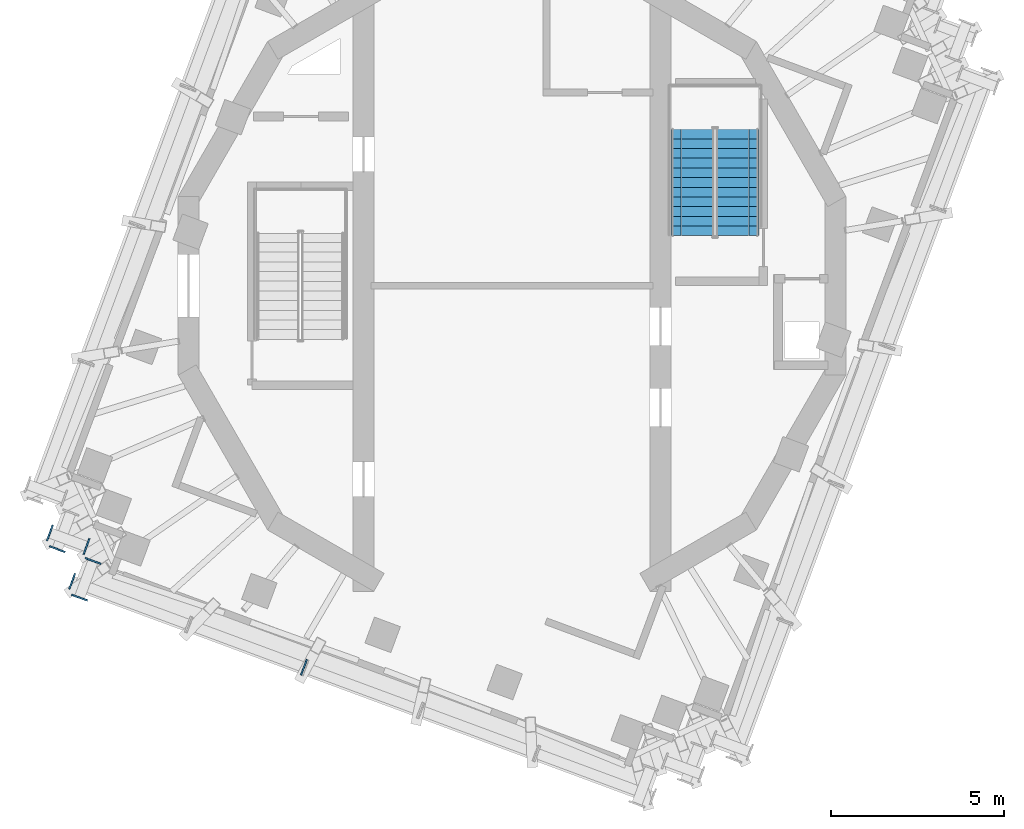
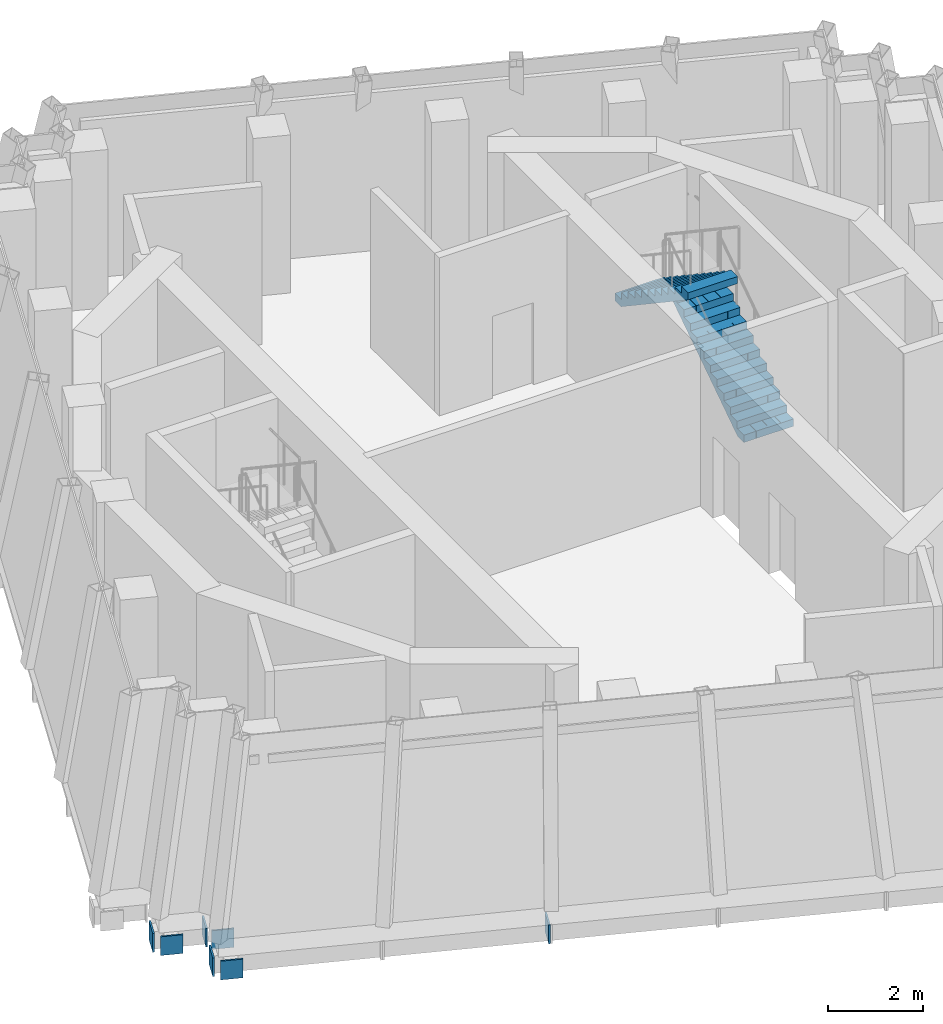
# One storey, part 6 of 11: 7 discrete accessories, 2 stair flights, 6 elements without a shape of their own.
"""IFC4 building model written with IfcOpenShell, lengths in metres."""

from ifc_helpers import new_model, si_unit, direction, frame, origin, place, context, subcontext, project, spatial, polyline, outline, extrude, material, layer, layer_set, type_object, element, aggregate, save


model = new_model("IFC4")

# Units and contexts
model_context = context("Model", 3, precision=1e-05, world=origin(), true_north=direction((0.0, 1.0)))
body_context = subcontext(model_context, "Body", "Model", "MODEL_VIEW")
ifc_project = project(units=[si_unit("LENGTHUNIT", "METRE"), si_unit("AREAUNIT", "SQUARE_METRE"), si_unit("VOLUMEUNIT", "CUBIC_METRE"), si_unit("PLANEANGLEUNIT", "RADIAN"), si_unit("MASSUNIT", "GRAM", prefix="KILO")], contexts=[model_context])

# Site, building, storey
site_placement = place(None, origin())
site = spatial("IfcSite", under=ifc_project, at=site_placement, CompositionType="ELEMENT")
building_placement = place(site_placement, origin())
building = spatial("IfcBuilding", under=site, at=building_placement, Name="Cantera Rosa Tower", CompositionType="ELEMENT")
storey_placement = place(building_placement, frame((0.0, 0.0, 369.699951171875)))
storey = spatial("IfcBuildingStorey", under=building, at=storey_placement, Name="L83", CompositionType="ELEMENT", Elevation=369.699951171875)

# Stair, stair flights
ifc_material_1 = material(Name="Concrete C35/45", Category="concrete")
stair_type = type_object("IfcStairType", Name="EXIT STAIR 1200 DOGLEG", PredefinedType="HALF_TURN_STAIR", material=ifc_material_1)
stair_placement = place(storey_placement, origin())
stair = element("IfcStair", 1, at=stair_placement, inside=storey, type_object=stair_type, Name="L83 ST-72", PredefinedType="HALF_TURN_STAIR")
ifc_material_2 = material(Name="Concrete C35/45", Category="concrete")
stair_flight_type = type_object("IfcStairFlightType", Name="STAIR FLIGHT 1200 R24x188", PredefinedType="STRAIGHT", material=ifc_material_2)
stair_flight_1_placement = place(storey_placement, frame((6.550048828125, 1.449951171875, 0.0), z_axis=(0.0, 0.0, 1.0), x_axis=(0.0, 1.0, 0.0)))
stair_flight_1 = element("IfcStairFlight", 2, at=stair_flight_1_placement, type_object=stair_flight_type, Name="ST-72 flight 1", NumberOfRisers=12, NumberOfTreads=11, PredefinedType="STRAIGHT", RiserHeight=0.1875, TreadLength=0.28, context=body_context, shape_type="SweptSolid", body=[
    extrude(outline(polyline([(0.0, 0.0), (0.0, 0.1875), (0.280029296875, 0.1875), (0.280029296875, 0.375), (0.56005859375, 0.375), (0.56005859375, 0.5625), (0.840087890625, 0.5625), (0.840087890625, 0.75), (1.1201171875, 0.75), (1.1201171875, 0.9375), (1.39990234375, 0.9375), (1.39990234375, 1.125), (1.679931640625, 1.125), (1.679931640625, 1.3125), (1.9599609375, 1.3125), (1.9599609375, 1.5), (2.239990234375, 1.5), (2.239990234375, 1.6875), (2.52001953125, 1.6875), (2.52001953125, 1.875), (2.800048828125, 1.875), (2.800048828125, 2.0625), (3.080078125, 2.0625), (3.080078125, 2.25), (3.080078125, 1.882080078125), (0.26953125, 0.0), (0.0, 0.0)])), frame((0.0, 0.60009765625, 0.0), z_axis=(0.0, -1.0, 0.0), x_axis=(1.0, 0.0, 0.0)), (0.0, 0.0, 1.0), 0.298583984375),
    extrude(outline(polyline([(0.0, 0.0), (0.0, 0.1875), (0.280029296875, 0.1875), (0.280029296875, 0.375), (0.56005859375, 0.375), (0.56005859375, 0.5625), (0.840087890625, 0.5625), (0.840087890625, 0.75), (1.1201171875, 0.75), (1.1201171875, 0.9375), (1.39990234375, 0.9375), (1.39990234375, 1.125), (1.679931640625, 1.125), (1.679931640625, 1.3125), (1.9599609375, 1.3125), (1.9599609375, 1.5), (2.239990234375, 1.5), (2.239990234375, 1.6875), (2.52001953125, 1.6875), (2.52001953125, 1.875), (2.800048828125, 1.875), (2.800048828125, 2.0625), (3.080078125, 2.0625), (3.080078125, 2.25), (3.080078125, 1.882080078125), (0.26953125, 0.0), (0.0, 0.0)])), frame((0.0, 0.29931640625, 0.0), z_axis=(0.0, -1.0, 0.0), x_axis=(1.0, 0.0, 0.0)), (0.0, 0.0, 1.0), 0.298583984375),
    extrude(outline(polyline([(0.0, 0.0), (0.0, 0.1875), (0.280029296875, 0.1875), (0.280029296875, 0.375), (0.56005859375, 0.375), (0.56005859375, 0.5625), (0.840087890625, 0.5625), (0.840087890625, 0.75), (1.1201171875, 0.75), (1.1201171875, 0.9375), (1.39990234375, 0.9375), (1.39990234375, 1.125), (1.679931640625, 1.125), (1.679931640625, 1.3125), (1.9599609375, 1.3125), (1.9599609375, 1.5), (2.239990234375, 1.5), (2.239990234375, 1.6875), (2.52001953125, 1.6875), (2.52001953125, 1.875), (2.800048828125, 1.875), (2.800048828125, 2.0625), (3.080078125, 2.0625), (3.080078125, 2.25), (3.080078125, 1.882080078125), (0.26953125, 0.0), (0.0, 0.0)])), frame((0.0, -0.0009765625, 0.0), z_axis=(0.0, -1.0, 0.0), x_axis=(1.0, 0.0, 0.0)), (0.0, 0.0, 1.0), 0.298583984375),
    extrude(outline(polyline([(0.0, 0.0), (0.0, 0.1875), (0.280029296875, 0.1875), (0.280029296875, 0.375), (0.56005859375, 0.375), (0.56005859375, 0.5625), (0.840087890625, 0.5625), (0.840087890625, 0.75), (1.1201171875, 0.75), (1.1201171875, 0.9375), (1.39990234375, 0.9375), (1.39990234375, 1.125), (1.679931640625, 1.125), (1.679931640625, 1.3125), (1.9599609375, 1.3125), (1.9599609375, 1.5), (2.239990234375, 1.5), (2.239990234375, 1.6875), (2.52001953125, 1.6875), (2.52001953125, 1.875), (2.800048828125, 1.875), (2.800048828125, 2.0625), (3.080078125, 2.0625), (3.080078125, 2.25), (3.080078125, 1.882080078125), (0.26953125, 0.0), (0.0, 0.0)])), frame((0.0, -0.3017578125, 0.0), z_axis=(0.0, -1.0, 0.0), x_axis=(1.0, 0.0, 0.0)), (0.0, 0.0, 1.0), 0.298583984375),
])
stair_flight_2_placement = place(storey_placement, frame((5.199951171875, 4.530029296875, 2.25), z_axis=(0.0, 0.0, 1.0), x_axis=(0.0, -1.0, 0.0)))
stair_flight_2 = element("IfcStairFlight", 3, at=stair_flight_2_placement, type_object=stair_flight_type, Name="ST-72 flight 2", NumberOfRisers=12, NumberOfTreads=11, PredefinedType="STRAIGHT", RiserHeight=0.1875, TreadLength=0.28, context=body_context, shape_type="SweptSolid", body=[
    extrude(outline(polyline([(0.0, 0.0), (0.0, 0.1875), (0.280029296875, 0.1875), (0.280029296875, 0.375), (0.56005859375, 0.375), (0.56005859375, 0.5625), (0.840087890625, 0.5625), (0.840087890625, 0.75), (1.1201171875, 0.75), (1.1201171875, 0.9375), (1.39990234375, 0.9375), (1.39990234375, 1.125), (1.679931640625, 1.125), (1.679931640625, 1.3125), (1.9599609375, 1.3125), (1.9599609375, 1.5), (2.239990234375, 1.5), (2.239990234375, 1.6875), (2.52001953125, 1.6875), (2.52001953125, 1.875), (2.800048828125, 1.875), (2.800048828125, 2.0625), (3.080078125, 2.0625), (3.080078125, 2.25), (3.080078125, 1.882080078125), (0.26953125, 0.0), (0.0, 0.0)])), frame((0.0, 0.60009765625, 0.0), z_axis=(0.0, -1.0, 0.0), x_axis=(1.0, 0.0, 0.0)), (0.0, 0.0, 1.0), 0.298583984375),
    extrude(outline(polyline([(0.0, 0.0), (0.0, 0.1875), (0.280029296875, 0.1875), (0.280029296875, 0.375), (0.56005859375, 0.375), (0.56005859375, 0.5625), (0.840087890625, 0.5625), (0.840087890625, 0.75), (1.1201171875, 0.75), (1.1201171875, 0.9375), (1.39990234375, 0.9375), (1.39990234375, 1.125), (1.679931640625, 1.125), (1.679931640625, 1.3125), (1.9599609375, 1.3125), (1.9599609375, 1.5), (2.239990234375, 1.5), (2.239990234375, 1.6875), (2.52001953125, 1.6875), (2.52001953125, 1.875), (2.800048828125, 1.875), (2.800048828125, 2.0625), (3.080078125, 2.0625), (3.080078125, 2.25), (3.080078125, 1.882080078125), (0.26953125, 0.0), (0.0, 0.0)])), frame((0.0, 0.29931640625, 0.0), z_axis=(0.0, -1.0, 0.0), x_axis=(1.0, 0.0, 0.0)), (0.0, 0.0, 1.0), 0.298583984375),
    extrude(outline(polyline([(0.0, 0.0), (0.0, 0.1875), (0.280029296875, 0.1875), (0.280029296875, 0.375), (0.56005859375, 0.375), (0.56005859375, 0.5625), (0.840087890625, 0.5625), (0.840087890625, 0.75), (1.1201171875, 0.75), (1.1201171875, 0.9375), (1.39990234375, 0.9375), (1.39990234375, 1.125), (1.679931640625, 1.125), (1.679931640625, 1.3125), (1.9599609375, 1.3125), (1.9599609375, 1.5), (2.239990234375, 1.5), (2.239990234375, 1.6875), (2.52001953125, 1.6875), (2.52001953125, 1.875), (2.800048828125, 1.875), (2.800048828125, 2.0625), (3.080078125, 2.0625), (3.080078125, 2.25), (3.080078125, 1.882080078125), (0.26953125, 0.0), (0.0, 0.0)])), frame((0.0, -0.0009765625, 0.0), z_axis=(0.0, -1.0, 0.0), x_axis=(1.0, 0.0, 0.0)), (0.0, 0.0, 1.0), 0.298583984375),
    extrude(outline(polyline([(0.0, 0.0), (0.0, 0.1875), (0.280029296875, 0.1875), (0.280029296875, 0.375), (0.56005859375, 0.375), (0.56005859375, 0.5625), (0.840087890625, 0.5625), (0.840087890625, 0.75), (1.1201171875, 0.75), (1.1201171875, 0.9375), (1.39990234375, 0.9375), (1.39990234375, 1.125), (1.679931640625, 1.125), (1.679931640625, 1.3125), (1.9599609375, 1.3125), (1.9599609375, 1.5), (2.239990234375, 1.5), (2.239990234375, 1.6875), (2.52001953125, 1.6875), (2.52001953125, 1.875), (2.800048828125, 1.875), (2.800048828125, 2.0625), (3.080078125, 2.0625), (3.080078125, 2.25), (3.080078125, 1.882080078125), (0.26953125, 0.0), (0.0, 0.0)])), frame((0.0, -0.3017578125, 0.0), z_axis=(0.0, -1.0, 0.0), x_axis=(1.0, 0.0, 0.0)), (0.0, 0.0, 1.0), 0.298583984375),
])
aggregate(stair, [stair_flight_1, stair_flight_2])

# Curtain wall, discrete accessory
ifc_material_3 = material(Name="Aluminium frame with clear glass", Category="aluminium")
curtain_wall_type = type_object("IfcCurtainWallType", Name="CW4 CROWN GLAZING", PredefinedType="NOTDEFINED", material=ifc_material_3)
curtain_wall_1_placement = place(storey_placement, origin())
curtain_wall_1 = element("IfcCurtainWall", 4, at=curtain_wall_1_placement, inside=storey, type_object=curtain_wall_type, Name="CW4 L83-16", PredefinedType="NOTDEFINED")
ifc_material_4 = material(Name="Steel S355J2 (EN 10025-2)", Category="steel")
ifc_layer = layer(ifc_material_4, 0.030029296875)
ifc_layer_set = layer_set([ifc_layer], Name="NODE PLATE 30")
discrete_accessory_type = type_object("IfcDiscreteAccessoryType", Name="NODE PLATE 30", PredefinedType="ANCHORPLATE", material=ifc_layer_set)
discrete_accessory_1_placement = place(storey_placement, frame((-12.942626953125, -7.72509765625, -0.43505859375), z_axis=(-0.347943850259, -0.93751537431, 0.0), x_axis=(-0.93751537431, 0.347943850259, 0.0)))
discrete_accessory_1 = element("IfcDiscreteAccessory", 5, at=discrete_accessory_1_placement, type_object=discrete_accessory_type, Name="END PLATE TE1", PredefinedType="ANCHORPLATE", context=body_context, shape_type="SweptSolid", body=[
    extrude(outline(polyline([(0.0, 0.0), (0.47994004600337425, 0.0), (0.47994004600337425, 0.47998046875), (0.0, 0.47998046875), (0.0, 0.0)])), origin(), (0.0, 0.0, -1.0), 0.0400390625),
])
aggregate(curtain_wall_1, [discrete_accessory_1])

# Curtain wall, discrete accessories
curtain_wall_2_placement = place(storey_placement, origin())
curtain_wall_2 = element("IfcCurtainWall", 6, at=curtain_wall_2_placement, inside=storey, type_object=curtain_wall_type, Name="CW4 L83-17", PredefinedType="NOTDEFINED")
discrete_accessory_2_placement = place(storey_placement, frame((-13.47705078125, -7.371826171875, -0.43505859375), z_axis=(-0.937742626232, 0.347330918501, 0.0), x_axis=(0.347330918501, 0.937742626232, 0.0)))
discrete_accessory_2 = element("IfcDiscreteAccessory", 7, at=discrete_accessory_2_placement, type_object=discrete_accessory_type, Name="END PLATE TE0", PredefinedType="ANCHORPLATE", context=body_context, shape_type="SweptSolid", body=[
    extrude(outline(polyline([(0.0, 0.0), (0.4800840869406107, 0.0), (0.4800840869406107, 0.47998046875), (0.0, 0.47998046875), (0.0, 0.0)])), origin(), (0.0, 0.0, -1.0), 0.0400390625),
])
discrete_accessory_3_placement = place(storey_placement, frame((-12.21240234375, -7.32861328125, -0.43505859375), z_axis=(0.937681233018, -0.347496626235, 0.0), x_axis=(-0.347496626235, -0.937681233018, 0.0)))
discrete_accessory_3 = element("IfcDiscreteAccessory", 8, at=discrete_accessory_3_placement, type_object=discrete_accessory_type, Name="END PLATE TE1", PredefinedType="ANCHORPLATE", context=body_context, shape_type="SweptSolid", body=[
    extrude(outline(polyline([(0.0, 0.0), (0.4798551533622547, 0.0), (0.4798551533622547, 0.47998046875), (0.0, 0.47998046875), (0.0, 0.0)])), origin(), (0.0, 0.0, -1.0), 0.0400390625),
])
aggregate(curtain_wall_2, [discrete_accessory_2, discrete_accessory_3])

curtain_wall_3_placement = place(storey_placement, origin())
curtain_wall_3 = element("IfcCurtainWall", 9, at=curtain_wall_3_placement, inside=storey, type_object=curtain_wall_type, Name="CW4 L83-18", PredefinedType="NOTDEFINED")
discrete_accessory_4_placement = place(storey_placement, frame((-12.342041015625, -7.86328125, -0.43505859375), z_axis=(0.347943850259, 0.93751537431, 0.0), x_axis=(0.93751537431, -0.347943850259, 0.0)))
discrete_accessory_4 = element("IfcDiscreteAccessory", 10, at=discrete_accessory_4_placement, type_object=discrete_accessory_type, Name="END PLATE TE0", PredefinedType="ANCHORPLATE", context=body_context, shape_type="SweptSolid", body=[
    extrude(outline(polyline([(0.0, 0.0), (0.47994004600337425, 0.0), (0.47994004600337425, 0.47998046875), (0.0, 0.47998046875), (0.0, 0.0)])), origin(), (0.0, 0.0, -1.0), 0.0400390625),
])
discrete_accessory_5_placement = place(storey_placement, frame((-12.299072265625, -9.12841796875, -0.43505859375), z_axis=(-0.347943850259, -0.93751537431, 0.0), x_axis=(-0.93751537431, 0.347943850259, 0.0)))
discrete_accessory_5 = element("IfcDiscreteAccessory", 11, at=discrete_accessory_5_placement, type_object=discrete_accessory_type, Name="END PLATE TE1", PredefinedType="ANCHORPLATE", context=body_context, shape_type="SweptSolid", body=[
    extrude(outline(polyline([(0.0, 0.0), (0.47994004600337425, 0.0), (0.47994004600337425, 0.47998046875), (0.0, 0.47998046875), (0.0, 0.0)])), origin(), (0.0, 0.0, -1.0), 0.0400390625),
])
aggregate(curtain_wall_3, [discrete_accessory_4, discrete_accessory_5])

# Curtain wall, discrete accessory
curtain_wall_4_placement = place(storey_placement, origin())
curtain_wall_4 = element("IfcCurtainWall", 12, at=curtain_wall_4_placement, inside=storey, type_object=curtain_wall_type, Name="CW4 L83-19", PredefinedType="NOTDEFINED")
discrete_accessory_6_placement = place(storey_placement, frame((-12.832275390625, -8.77392578125, -0.43505859375), z_axis=(-0.937742626232, 0.347330918501, 0.0), x_axis=(0.347330918501, 0.937742626232, 0.0)))
discrete_accessory_6 = element("IfcDiscreteAccessory", 13, at=discrete_accessory_6_placement, type_object=discrete_accessory_type, Name="END PLATE TE0", PredefinedType="ANCHORPLATE", context=body_context, shape_type="SweptSolid", body=[
    extrude(outline(polyline([(0.0, 0.0), (0.4800840869406107, 0.0), (0.4800840869406107, 0.47998046875), (0.0, 0.47998046875), (0.0, 0.0)])), origin(), (0.0, 0.0, -1.0), 0.0400390625),
])
aggregate(curtain_wall_4, [discrete_accessory_6])

curtain_wall_5_placement = place(storey_placement, origin())
curtain_wall_5 = element("IfcCurtainWall", 14, at=curtain_wall_5_placement, inside=storey, type_object=curtain_wall_type, Name="CW4 L83-21", PredefinedType="NOTDEFINED")
discrete_accessory_7_placement = place(storey_placement, frame((-6.123046875, -11.26025390625, -0.43505859375), z_axis=(-0.937742626232, 0.347330918501, 0.0), x_axis=(0.347330918501, 0.937742626232, 0.0)))
discrete_accessory_7 = element("IfcDiscreteAccessory", 15, at=discrete_accessory_7_placement, type_object=discrete_accessory_type, Name="END PLATE TE0", PredefinedType="ANCHORPLATE", context=body_context, shape_type="SweptSolid", body=[
    extrude(outline(polyline([(0.0, 0.0), (0.4800840869406107, 0.0), (0.4800840869406107, 0.47998046875), (0.0, 0.47998046875), (0.0, 0.0)])), origin(), (0.0, 0.0, -1.0), 0.0400390625),
])
aggregate(curtain_wall_5, [discrete_accessory_7])

save(model, "model.ifc")
